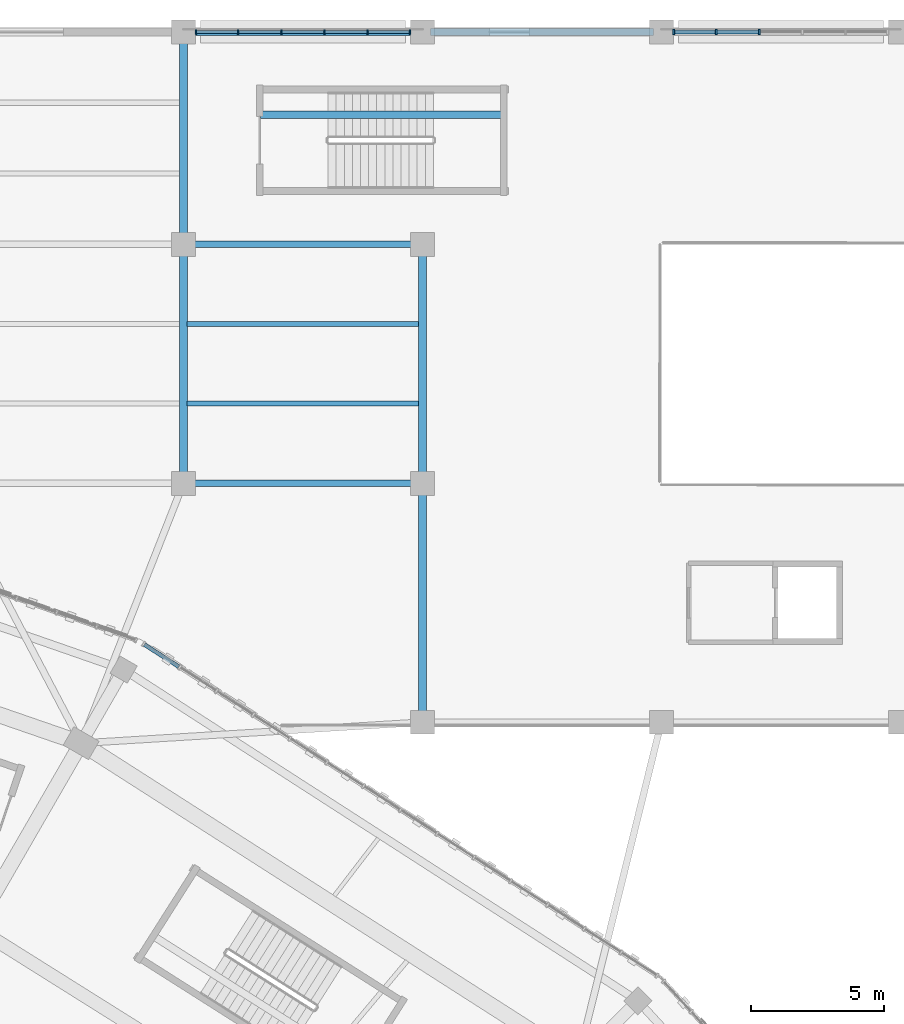
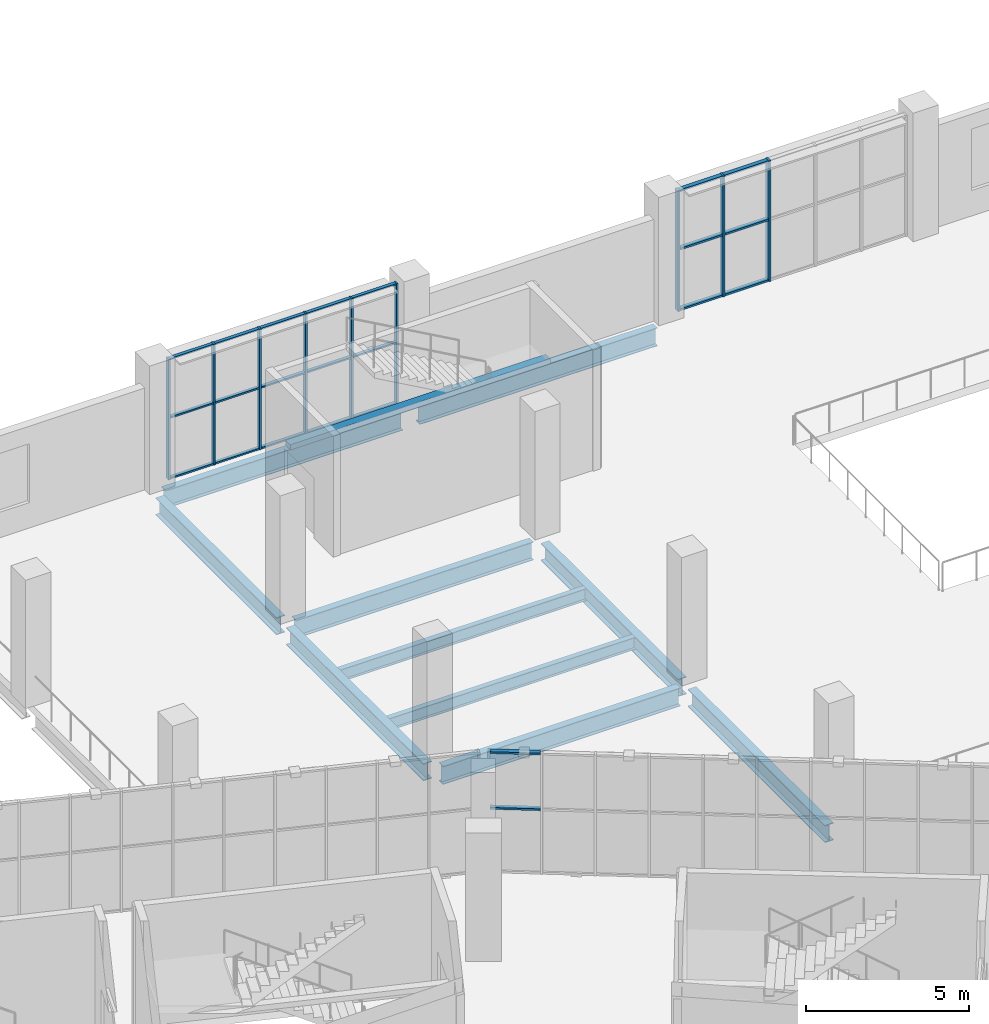
# One storey, part 66 of 183: 32 members, 11 beams, 3 elements without a shape of their own.
"""IFC4 building model written with IfcOpenShell, lengths in metres."""

from ifc_helpers import new_model, si_unit, direction, frame, origin, origin_2d, place, context, subcontext, project, spatial, rectangle, i_section, extrude, material, material_profile, profile_set, type_object, element, aggregate, save


model = new_model("IFC4")

# Units and contexts
model_context = context("Model", 3, precision=1e-05, world=origin(), true_north=direction((0.0, 1.0)))
body_context = subcontext(model_context, "Body", "Model", "MODEL_VIEW")
ifc_project = project(units=[si_unit("LENGTHUNIT", "METRE"), si_unit("AREAUNIT", "SQUARE_METRE"), si_unit("VOLUMEUNIT", "CUBIC_METRE"), si_unit("PLANEANGLEUNIT", "RADIAN"), si_unit("MASSUNIT", "GRAM", prefix="KILO")], contexts=[model_context])

# Site, building, storey
site_placement = place(None, origin())
site = spatial("IfcSite", under=ifc_project, at=site_placement, CompositionType="ELEMENT")
building_placement = place(site_placement, origin())
building = spatial("IfcBuilding", under=site, at=building_placement, Name="Zevraka Park Crest Stadium", CompositionType="ELEMENT")
storey_placement = place(building_placement, frame((0.0, 0.0, 5.39990234375)))
storey = spatial("IfcBuildingStorey", under=building, at=storey_placement, Name="L01", CompositionType="ELEMENT", Elevation=5.39990234375)

# Beams
ifc_material_1 = material(Name="Steel S355", Category="steel")
ifc_material_profile_1 = material_profile(ifc_material_1, i_section(OverallWidth=0.253662109375, OverallDepth=0.68359375, WebThickness=0.012451171875, FlangeThickness=0.01904296875, at=origin_2d()), Name="UKB 686x254x140")
ifc_profile_set_1 = profile_set([ifc_material_profile_1], Name="Steel S355")
beam_type_1 = type_object("IfcBeamType", Name="BG05", PredefinedType="BEAM", material=ifc_profile_set_1)
for number, where, z_axis, x_axis, name in (
    (1, (161.300048828125, 167.0, -0.649658203125), (1.0, 0.0, 0.0), (0.0, 1.0, 0.0), "Wing Girder BG05 L01-1819/U"),
    (2, (161.300048828125, 176.0, -0.649658203125), (1.0, 0.0, 0.0), (0.0, 1.0, 0.0), "Wing Girder BG05 L01-1819/V"),
    (3, (161.300048828125, 184.0, -0.649658203125), (1.0, 0.0, 0.0), (0.0, 1.0, 0.0), "Wing Girder BG05 L01-1819/W"),
    (4, (170.300048828125, 184.0, -0.649658203125), (1.0, 0.0, 0.0), (0.0, 1.0, 0.0), "Wing Girder BG05 L01-1920/W"),
):
    element("IfcBeam", number, at=place(storey_placement, frame(where, z_axis=z_axis, x_axis=x_axis)), inside=storey, type_object=beam_type_1, Name=name, PredefinedType="BEAM", context=body_context, shape_type="SweptSolid", body=[
        extrude(i_section(OverallWidth=0.253662109375, OverallDepth=0.68359375, WebThickness=0.012451171875, FlangeThickness=0.01904296875, at=origin_2d()), origin(), (0.0, 0.0, 1.0), 8.39990234375),
    ])
ifc_material_2 = material(Name="Steel S355", Category="steel")
ifc_material_profile_2 = material_profile(ifc_material_2, i_section(OverallWidth=0.300048828125, OverallDepth=0.64990234375, WebThickness=0.01611328125, FlangeThickness=0.031005859375, at=origin_2d()), Name="HEB 650")
ifc_profile_set_2 = profile_set([ifc_material_profile_2], Name="Steel S355")
beam_type_2 = type_object("IfcBeamType", Name="BG07", PredefinedType="BEAM", material=ifc_profile_set_2)
beam_1_placement = place(storey_placement, frame((161.0, 167.300048828125, -0.6328125), z_axis=(0.0, 1.0, 0.0), x_axis=(-1.0, 0.0, 0.0)))
element("IfcBeam", 5, at=beam_1_placement, inside=storey, type_object=beam_type_2, Name="Wing Girder BG07 L01-18/UV", PredefinedType="BEAM", context=body_context, shape_type="SweptSolid", body=[
    extrude(i_section(OverallWidth=0.300048828125, OverallDepth=0.64990234375, WebThickness=0.01611328125, FlangeThickness=0.031005859375, at=origin_2d()), origin(), (0.0, 0.0, 1.0), 8.39990234375),
])
beam_2_placement = place(storey_placement, frame((161.0, 176.300048828125, -0.6328125), z_axis=(0.0, 1.0, 0.0), x_axis=(-1.0, 0.0, 0.0)))
element("IfcBeam", 6, at=beam_2_placement, inside=storey, type_object=beam_type_2, Name="Wing Girder BG07 L01-18/VW", PredefinedType="BEAM", context=body_context, shape_type="SweptSolid", body=[
    extrude(i_section(OverallWidth=0.300048828125, OverallDepth=0.64990234375, WebThickness=0.01611328125, FlangeThickness=0.031005859375, at=origin_2d()), origin(), (0.0, 0.0, 1.0), 7.39990234375),
])
for number, where, z_axis, x_axis, name in (
    (7, (170.0, 158.300048828125, -0.6328125), (0.0, 1.0, 0.0), (-1.0, 0.0, 0.0), "Wing Girder BG07 L01-19/TU"),
    (8, (170.0, 167.300048828125, -0.6328125), (0.0, 1.0, 0.0), (-1.0, 0.0, 0.0), "Wing Girder BG07 L01-19/UV"),
):
    element("IfcBeam", number, at=place(storey_placement, frame(where, z_axis=z_axis, x_axis=x_axis)), inside=storey, type_object=beam_type_2, Name=name, PredefinedType="BEAM", context=body_context, shape_type="SweptSolid", body=[
        extrude(i_section(OverallWidth=0.300048828125, OverallDepth=0.64990234375, WebThickness=0.01611328125, FlangeThickness=0.031005859375, at=origin_2d()), origin(), (0.0, 0.0, 1.0), 8.39990234375),
    ])

# Curtain wall, members
ifc_material_3 = material(Name="Anodised architectural aluminium and laminated safety glass", Category="aluminium")
curtain_wall_type_1 = type_object("IfcCurtainWallType", Name="CW28", PredefinedType="NOTDEFINED", material=ifc_material_3)
curtain_wall_1_placement = place(storey_placement, origin())
curtain_wall_1 = element("IfcCurtainWall", 9, at=curtain_wall_1_placement, inside=storey, type_object=curtain_wall_type_1, Name="Wing Curtain Wall CW28 L01-NGATE-N-2", PredefinedType="NOTDEFINED")
ifc_material_4 = material(Name="Anodised architectural aluminium", Category="aluminium")
ifc_material_profile_3 = material_profile(ifc_material_4, rectangle(XDim=0.159912109375, YDim=0.06005859375, at=origin_2d()), Name="ALU MULLION 160x60")
ifc_profile_set_3 = profile_set([ifc_material_profile_3], Name="Anodised architectural aluminium")
member_type_1 = type_object("IfcMemberType", Name="CM01", PredefinedType="MULLION", material=ifc_profile_set_3)
member_1_placement = place(storey_placement, frame((161.469970703125, 184.0, 0.0), z_axis=(0.0, 0.0, 1.0), x_axis=(0.0, 1.0, 0.0)))
member_1 = element("IfcMember", 10, at=member_1_placement, type_object=member_type_1, Name="CW28 mullion 1", PredefinedType="MULLION", context=body_context, shape_type="SweptSolid", body=[
    extrude(rectangle(XDim=0.159912109375, YDim=0.06005859375, at=origin_2d()), origin(), (0.0, 0.0, 1.0), 4.52001953125),
])
member_2_placement = place(storey_placement, frame((163.06396484375, 184.0, 0.0), z_axis=(0.0, 0.0, 1.0), x_axis=(0.0, 1.0, 0.0)))
member_2 = element("IfcMember", 11, at=member_2_placement, type_object=member_type_1, Name="CW28 mullion 2", PredefinedType="MULLION", context=body_context, shape_type="SweptSolid", body=[
    extrude(rectangle(XDim=0.159912109375, YDim=0.06005859375, at=origin_2d()), origin(), (0.0, 0.0, 1.0), 4.52001953125),
])
member_3_placement = place(storey_placement, frame((164.68798828125, 184.0, 0.0), z_axis=(0.0, 0.0, 1.0), x_axis=(0.0, 1.0, 0.0)))
member_3 = element("IfcMember", 12, at=member_3_placement, type_object=member_type_1, Name="CW28 mullion 3", PredefinedType="MULLION", context=body_context, shape_type="SweptSolid", body=[
    extrude(rectangle(XDim=0.159912109375, YDim=0.06005859375, at=origin_2d()), origin(), (0.0, 0.0, 1.0), 4.52001953125),
])
member_4_placement = place(storey_placement, frame((166.31201171875, 184.0, 0.0), z_axis=(0.0, 0.0, 1.0), x_axis=(0.0, 1.0, 0.0)))
member_4 = element("IfcMember", 13, at=member_4_placement, type_object=member_type_1, Name="CW28 mullion 4", PredefinedType="MULLION", context=body_context, shape_type="SweptSolid", body=[
    extrude(rectangle(XDim=0.159912109375, YDim=0.06005859375, at=origin_2d()), origin(), (0.0, 0.0, 1.0), 4.52001953125),
])
member_5_placement = place(storey_placement, frame((167.93603515625, 184.0, 0.0), z_axis=(0.0, 0.0, 1.0), x_axis=(0.0, 1.0, 0.0)))
member_5 = element("IfcMember", 14, at=member_5_placement, type_object=member_type_1, Name="CW28 mullion 5", PredefinedType="MULLION", context=body_context, shape_type="SweptSolid", body=[
    extrude(rectangle(XDim=0.159912109375, YDim=0.06005859375, at=origin_2d()), origin(), (0.0, 0.0, 1.0), 4.52001953125),
])
member_6_placement = place(storey_placement, frame((169.530029296875, 184.0, 0.0), z_axis=(0.0, 0.0, 1.0), x_axis=(0.0, 1.0, 0.0)))
member_6 = element("IfcMember", 15, at=member_6_placement, type_object=member_type_1, Name="CW28 mullion 6", PredefinedType="MULLION", context=body_context, shape_type="SweptSolid", body=[
    extrude(rectangle(XDim=0.159912109375, YDim=0.06005859375, at=origin_2d()), origin(), (0.0, 0.0, 1.0), 4.52001953125),
])

ifc_material_5 = material(Name="Anodised architectural aluminium and laminated safety glass", Category="aluminium")
curtain_wall_type_2 = type_object("IfcCurtainWallType", Name="CW30", PredefinedType="NOTDEFINED", material=ifc_material_5)
curtain_wall_2_placement = place(storey_placement, origin())
curtain_wall_2 = element("IfcCurtainWall", 16, at=curtain_wall_2_placement, inside=storey, type_object=curtain_wall_type_2, Name="Wing Curtain Wall CW30 L01-NGATE-N-4", PredefinedType="NOTDEFINED")
ifc_material_6 = material(Name="Anodised architectural aluminium", Category="aluminium")
ifc_material_profile_4 = material_profile(ifc_material_6, rectangle(XDim=0.199951171875, YDim=0.070068359375, at=origin_2d()), Name="ALU MULLION 200x70")
ifc_profile_set_4 = profile_set([ifc_material_profile_4], Name="Anodised architectural aluminium")
member_type_2 = type_object("IfcMemberType", Name="CM03", PredefinedType="MULLION", material=ifc_profile_set_4)
member_7_placement = place(storey_placement, frame((179.47509765625, 184.0, 0.0), z_axis=(0.0, 0.0, 1.0), x_axis=(0.0, 1.0, 0.0)))
member_7 = element("IfcMember", 17, at=member_7_placement, type_object=member_type_2, Name="CW30 mullion 1", PredefinedType="MULLION", context=body_context, shape_type="SweptSolid", body=[
    extrude(rectangle(XDim=0.199951171875, YDim=0.070068359375, at=origin_2d()), origin(), (0.0, 0.0, 1.0), 4.52001953125),
])
member_8_placement = place(storey_placement, frame((181.06396484375, 184.0, 0.0), z_axis=(0.0, 0.0, 1.0), x_axis=(0.0, 1.0, 0.0)))
member_8 = element("IfcMember", 18, at=member_8_placement, type_object=member_type_2, Name="CW30 mullion 2", PredefinedType="MULLION", context=body_context, shape_type="SweptSolid", body=[
    extrude(rectangle(XDim=0.199951171875, YDim=0.070068359375, at=origin_2d()), origin(), (0.0, 0.0, 1.0), 4.52001953125),
])
member_9_placement = place(storey_placement, frame((182.68798828125, 184.0, 0.0), z_axis=(0.0, 0.0, 1.0), x_axis=(0.0, 1.0, 0.0)))
member_9 = element("IfcMember", 19, at=member_9_placement, type_object=member_type_2, Name="CW30 mullion 3", PredefinedType="MULLION", context=body_context, shape_type="SweptSolid", body=[
    extrude(rectangle(XDim=0.199951171875, YDim=0.070068359375, at=origin_2d()), origin(), (0.0, 0.0, 1.0), 4.52001953125),
])

# Member
ifc_material_7 = material(Name="Anodised architectural aluminium", Category="aluminium")
ifc_material_profile_5 = material_profile(ifc_material_7, rectangle(XDim=0.1201171875, YDim=0.06005859375, at=origin_2d()), Name="ALU TRANSOM 120x60")
ifc_profile_set_5 = profile_set([ifc_material_profile_5], Name="Anodised architectural aluminium")
member_type_3 = type_object("IfcMemberType", Name="CT01", PredefinedType="USERDEFINED", material=ifc_profile_set_5)
member_10_placement = place(storey_placement, frame((161.5, 184.0, 0.030029296875), z_axis=(1.0, 0.0, 0.0), x_axis=(0.0, 1.0, 0.0)))
member_10 = element("IfcMember", 20, at=member_10_placement, type_object=member_type_3, Name="CW28 transom 1.1", ObjectType="TRANSOM", PredefinedType="USERDEFINED", context=body_context, shape_type="SweptSolid", body=[
    extrude(rectangle(XDim=0.1201171875, YDim=0.06005859375, at=origin_2d()), origin(), (0.0, 0.0, 1.0), 1.533935546875),
])

member_11_placement = place(storey_placement, frame((161.5, 184.0, 2.300048828125), z_axis=(1.0, 0.0, 0.0), x_axis=(0.0, 1.0, 0.0)))
member_11 = element("IfcMember", 21, at=member_11_placement, type_object=member_type_3, Name="CW28 transom 1.2", ObjectType="TRANSOM", PredefinedType="USERDEFINED", context=body_context, shape_type="SweptSolid", body=[
    extrude(rectangle(XDim=0.1201171875, YDim=0.06005859375, at=origin_2d()), origin(), (0.0, 0.0, 1.0), 1.533935546875),
])

member_12_placement = place(storey_placement, frame((161.5, 184.0, 4.489990234375), z_axis=(1.0, 0.0, 0.0), x_axis=(0.0, 1.0, 0.0)))
member_12 = element("IfcMember", 22, at=member_12_placement, type_object=member_type_3, Name="CW28 transom 1.3", ObjectType="TRANSOM", PredefinedType="USERDEFINED", context=body_context, shape_type="SweptSolid", body=[
    extrude(rectangle(XDim=0.1201171875, YDim=0.06005859375, at=origin_2d()), origin(), (0.0, 0.0, 1.0), 1.533935546875),
])

member_13_placement = place(storey_placement, frame((163.093994140625, 184.0, 0.030029296875), z_axis=(1.0, 0.0, 0.0), x_axis=(0.0, 1.0, 0.0)))
member_13 = element("IfcMember", 23, at=member_13_placement, type_object=member_type_3, Name="CW28 transom 2.1", ObjectType="TRANSOM", PredefinedType="USERDEFINED", context=body_context, shape_type="SweptSolid", body=[
    extrude(rectangle(XDim=0.1201171875, YDim=0.06005859375, at=origin_2d()), origin(), (0.0, 0.0, 1.0), 1.56396484375),
])

member_14_placement = place(storey_placement, frame((163.093994140625, 184.0, 2.300048828125), z_axis=(1.0, 0.0, 0.0), x_axis=(0.0, 1.0, 0.0)))
member_14 = element("IfcMember", 24, at=member_14_placement, type_object=member_type_3, Name="CW28 transom 2.2", ObjectType="TRANSOM", PredefinedType="USERDEFINED", context=body_context, shape_type="SweptSolid", body=[
    extrude(rectangle(XDim=0.1201171875, YDim=0.06005859375, at=origin_2d()), origin(), (0.0, 0.0, 1.0), 1.56396484375),
])

member_15_placement = place(storey_placement, frame((163.093994140625, 184.0, 4.489990234375), z_axis=(1.0, 0.0, 0.0), x_axis=(0.0, 1.0, 0.0)))
member_15 = element("IfcMember", 25, at=member_15_placement, type_object=member_type_3, Name="CW28 transom 2.3", ObjectType="TRANSOM", PredefinedType="USERDEFINED", context=body_context, shape_type="SweptSolid", body=[
    extrude(rectangle(XDim=0.1201171875, YDim=0.06005859375, at=origin_2d()), origin(), (0.0, 0.0, 1.0), 1.56396484375),
])

member_16_placement = place(storey_placement, frame((164.718017578125, 184.0, 0.030029296875), z_axis=(1.0, 0.0, 0.0), x_axis=(0.0, 1.0, 0.0)))
member_16 = element("IfcMember", 26, at=member_16_placement, type_object=member_type_3, Name="CW28 transom 3.1", ObjectType="TRANSOM", PredefinedType="USERDEFINED", context=body_context, shape_type="SweptSolid", body=[
    extrude(rectangle(XDim=0.1201171875, YDim=0.06005859375, at=origin_2d()), origin(), (0.0, 0.0, 1.0), 1.56396484375),
])

member_17_placement = place(storey_placement, frame((164.718017578125, 184.0, 2.300048828125), z_axis=(1.0, 0.0, 0.0), x_axis=(0.0, 1.0, 0.0)))
member_17 = element("IfcMember", 27, at=member_17_placement, type_object=member_type_3, Name="CW28 transom 3.2", ObjectType="TRANSOM", PredefinedType="USERDEFINED", context=body_context, shape_type="SweptSolid", body=[
    extrude(rectangle(XDim=0.1201171875, YDim=0.06005859375, at=origin_2d()), origin(), (0.0, 0.0, 1.0), 1.56396484375),
])

member_18_placement = place(storey_placement, frame((164.718017578125, 184.0, 4.489990234375), z_axis=(1.0, 0.0, 0.0), x_axis=(0.0, 1.0, 0.0)))
member_18 = element("IfcMember", 28, at=member_18_placement, type_object=member_type_3, Name="CW28 transom 3.3", ObjectType="TRANSOM", PredefinedType="USERDEFINED", context=body_context, shape_type="SweptSolid", body=[
    extrude(rectangle(XDim=0.1201171875, YDim=0.06005859375, at=origin_2d()), origin(), (0.0, 0.0, 1.0), 1.56396484375),
])

member_19_placement = place(storey_placement, frame((166.342041015625, 184.0, 0.030029296875), z_axis=(1.0, 0.0, 0.0), x_axis=(0.0, 1.0, 0.0)))
member_19 = element("IfcMember", 29, at=member_19_placement, type_object=member_type_3, Name="CW28 transom 4.1", ObjectType="TRANSOM", PredefinedType="USERDEFINED", context=body_context, shape_type="SweptSolid", body=[
    extrude(rectangle(XDim=0.1201171875, YDim=0.06005859375, at=origin_2d()), origin(), (0.0, 0.0, 1.0), 1.56396484375),
])

member_20_placement = place(storey_placement, frame((166.342041015625, 184.0, 2.300048828125), z_axis=(1.0, 0.0, 0.0), x_axis=(0.0, 1.0, 0.0)))
member_20 = element("IfcMember", 30, at=member_20_placement, type_object=member_type_3, Name="CW28 transom 4.2", ObjectType="TRANSOM", PredefinedType="USERDEFINED", context=body_context, shape_type="SweptSolid", body=[
    extrude(rectangle(XDim=0.1201171875, YDim=0.06005859375, at=origin_2d()), origin(), (0.0, 0.0, 1.0), 1.56396484375),
])

member_21_placement = place(storey_placement, frame((166.342041015625, 184.0, 4.489990234375), z_axis=(1.0, 0.0, 0.0), x_axis=(0.0, 1.0, 0.0)))
member_21 = element("IfcMember", 31, at=member_21_placement, type_object=member_type_3, Name="CW28 transom 4.3", ObjectType="TRANSOM", PredefinedType="USERDEFINED", context=body_context, shape_type="SweptSolid", body=[
    extrude(rectangle(XDim=0.1201171875, YDim=0.06005859375, at=origin_2d()), origin(), (0.0, 0.0, 1.0), 1.56396484375),
])

member_22_placement = place(storey_placement, frame((167.966064453125, 184.0, 0.030029296875), z_axis=(1.0, 0.0, 0.0), x_axis=(0.0, 1.0, 0.0)))
member_22 = element("IfcMember", 32, at=member_22_placement, type_object=member_type_3, Name="CW28 transom 5.1", ObjectType="TRANSOM", PredefinedType="USERDEFINED", context=body_context, shape_type="SweptSolid", body=[
    extrude(rectangle(XDim=0.1201171875, YDim=0.06005859375, at=origin_2d()), origin(), (0.0, 0.0, 1.0), 1.533935546875),
])

member_23_placement = place(storey_placement, frame((167.966064453125, 184.0, 2.300048828125), z_axis=(1.0, 0.0, 0.0), x_axis=(0.0, 1.0, 0.0)))
member_23 = element("IfcMember", 33, at=member_23_placement, type_object=member_type_3, Name="CW28 transom 5.2", ObjectType="TRANSOM", PredefinedType="USERDEFINED", context=body_context, shape_type="SweptSolid", body=[
    extrude(rectangle(XDim=0.1201171875, YDim=0.06005859375, at=origin_2d()), origin(), (0.0, 0.0, 1.0), 1.533935546875),
])

member_24_placement = place(storey_placement, frame((167.966064453125, 184.0, 4.489990234375), z_axis=(1.0, 0.0, 0.0), x_axis=(0.0, 1.0, 0.0)))
member_24 = element("IfcMember", 34, at=member_24_placement, type_object=member_type_3, Name="CW28 transom 5.3", ObjectType="TRANSOM", PredefinedType="USERDEFINED", context=body_context, shape_type="SweptSolid", body=[
    extrude(rectangle(XDim=0.1201171875, YDim=0.06005859375, at=origin_2d()), origin(), (0.0, 0.0, 1.0), 1.533935546875),
])

aggregate(curtain_wall_1, [member_1, member_2, member_3, member_4, member_5, member_6, member_10, member_11, member_12, member_13, member_14, member_15, member_16, member_17, member_18, member_19, member_20, member_21, member_22, member_23, member_24])

# Curtain wall, members
ifc_material_8 = material(Name="Anodised architectural aluminium and laminated safety glass", Category="aluminium")
curtain_wall_type_3 = type_object("IfcCurtainWallType", Name="CW03", PredefinedType="NOTDEFINED", material=ifc_material_8)
curtain_wall_3_placement = place(storey_placement, origin())
curtain_wall_3 = element("IfcCurtainWall", 35, at=curtain_wall_3_placement, inside=storey, type_object=curtain_wall_type_3, Name="Unitised Ring Curtain Wall CW03 L01-03", PredefinedType="NOTDEFINED")
ifc_material_9 = material(Name="Anodised architectural aluminium", Category="aluminium")
ifc_material_profile_6 = material_profile(ifc_material_9, rectangle(XDim=0.14990234375, YDim=0.070068359375, at=origin_2d()), Name="ALU TRANSOM 150x70")
ifc_profile_set_6 = profile_set([ifc_material_profile_6], Name="Anodised architectural aluminium")
member_type_4 = type_object("IfcMemberType", Name="CT03", PredefinedType="USERDEFINED", material=ifc_profile_set_6)
member_25_placement = place(storey_placement, frame((160.830322265625, 160.090087890625, 2.400146484375), z_axis=(-0.840082895717, 0.542458042916, 0.0), x_axis=(-0.542458042916, -0.840082895717, 0.0)))
member_25 = element("IfcMember", 36, at=member_25_placement, type_object=member_type_4, Name="CW03 transom 14.2", ObjectType="TRANSOM", PredefinedType="USERDEFINED", context=body_context, shape_type="SweptSolid", body=[
    extrude(rectangle(XDim=0.14990234375, YDim=0.070068359375, at=origin_2d()), origin(), (0.0, 0.0, 1.0), 1.544677734375),
])
member_26_placement = place(storey_placement, frame((160.830322265625, 160.090087890625, 4.485107421875), z_axis=(-0.840082895717, 0.542458042916, 0.0), x_axis=(-0.542458042916, -0.840082895717, 0.0)))
member_26 = element("IfcMember", 37, at=member_26_placement, type_object=member_type_4, Name="CW03 transom 14.3", ObjectType="TRANSOM", PredefinedType="USERDEFINED", context=body_context, shape_type="SweptSolid", body=[
    extrude(rectangle(XDim=0.14990234375, YDim=0.070068359375, at=origin_2d()), origin(), (0.0, 0.0, 1.0), 1.544677734375),
])
aggregate(curtain_wall_3, [member_25, member_26])

# Member
member_27_placement = place(storey_placement, frame((179.510009765625, 184.0, 0.03515625), z_axis=(1.0, 0.0, 0.0), x_axis=(0.0, 1.0, 0.0)))
member_27 = element("IfcMember", 38, at=member_27_placement, type_object=member_type_4, Name="CW30 transom 1.1", ObjectType="TRANSOM", PredefinedType="USERDEFINED", context=body_context, shape_type="SweptSolid", body=[
    extrude(rectangle(XDim=0.14990234375, YDim=0.070068359375, at=origin_2d()), origin(), (0.0, 0.0, 1.0), 1.51904296875),
])

member_28_placement = place(storey_placement, frame((179.510009765625, 184.0, 2.300048828125), z_axis=(1.0, 0.0, 0.0), x_axis=(0.0, 1.0, 0.0)))
member_28 = element("IfcMember", 39, at=member_28_placement, type_object=member_type_4, Name="CW30 transom 1.2", ObjectType="TRANSOM", PredefinedType="USERDEFINED", context=body_context, shape_type="SweptSolid", body=[
    extrude(rectangle(XDim=0.14990234375, YDim=0.070068359375, at=origin_2d()), origin(), (0.0, 0.0, 1.0), 1.51904296875),
])

member_29_placement = place(storey_placement, frame((179.510009765625, 184.0, 4.485107421875), z_axis=(1.0, 0.0, 0.0), x_axis=(0.0, 1.0, 0.0)))
member_29 = element("IfcMember", 40, at=member_29_placement, type_object=member_type_4, Name="CW30 transom 1.3", ObjectType="TRANSOM", PredefinedType="USERDEFINED", context=body_context, shape_type="SweptSolid", body=[
    extrude(rectangle(XDim=0.14990234375, YDim=0.070068359375, at=origin_2d()), origin(), (0.0, 0.0, 1.0), 1.51904296875),
])

member_30_placement = place(storey_placement, frame((181.09912109375, 184.0, 0.03515625), z_axis=(1.0, 0.0, 0.0), x_axis=(0.0, 1.0, 0.0)))
member_30 = element("IfcMember", 41, at=member_30_placement, type_object=member_type_4, Name="CW30 transom 2.1", ObjectType="TRANSOM", PredefinedType="USERDEFINED", context=body_context, shape_type="SweptSolid", body=[
    extrude(rectangle(XDim=0.14990234375, YDim=0.070068359375, at=origin_2d()), origin(), (0.0, 0.0, 1.0), 1.553955078125),
])

member_31_placement = place(storey_placement, frame((181.09912109375, 184.0, 2.300048828125), z_axis=(1.0, 0.0, 0.0), x_axis=(0.0, 1.0, 0.0)))
member_31 = element("IfcMember", 42, at=member_31_placement, type_object=member_type_4, Name="CW30 transom 2.2", ObjectType="TRANSOM", PredefinedType="USERDEFINED", context=body_context, shape_type="SweptSolid", body=[
    extrude(rectangle(XDim=0.14990234375, YDim=0.070068359375, at=origin_2d()), origin(), (0.0, 0.0, 1.0), 1.553955078125),
])

member_32_placement = place(storey_placement, frame((181.09912109375, 184.0, 4.485107421875), z_axis=(1.0, 0.0, 0.0), x_axis=(0.0, 1.0, 0.0)))
member_32 = element("IfcMember", 43, at=member_32_placement, type_object=member_type_4, Name="CW30 transom 2.3", ObjectType="TRANSOM", PredefinedType="USERDEFINED", context=body_context, shape_type="SweptSolid", body=[
    extrude(rectangle(XDim=0.14990234375, YDim=0.070068359375, at=origin_2d()), origin(), (0.0, 0.0, 1.0), 1.553955078125),
])

aggregate(curtain_wall_2, [member_7, member_8, member_9, member_27, member_28, member_29, member_30, member_31, member_32])

# Beams
ifc_material_10 = material(Name="Steel S355", Category="steel")
ifc_material_profile_7 = material_profile(ifc_material_10, i_section(OverallWidth=0.18994140625, OverallDepth=0.45703125, WebThickness=0.009033203125, FlangeThickness=0.014404296875, at=origin_2d()), Name="UKB 457x191x74")
ifc_profile_set_7 = profile_set([ifc_material_profile_7], Name="Steel S355")
beam_type_3 = type_object("IfcBeamType", Name="SJ12", PredefinedType="JOIST", material=ifc_profile_set_7)
for number, where, z_axis, x_axis, name in (
    (44, (161.14501953125, 170.0, -0.538330078125), (1.0, 0.0, 0.0), (0.0, 1.0, 0.0), "Wing Joist SJ12 L01-18/U-1"),
    (45, (161.14501953125, 173.0, -0.538330078125), (1.0, 0.0, 0.0), (0.0, 1.0, 0.0), "Wing Joist SJ12 L01-18/U-2"),
):
    element("IfcBeam", number, at=place(storey_placement, frame(where, z_axis=z_axis, x_axis=x_axis)), inside=storey, type_object=beam_type_3, Name=name, PredefinedType="JOIST", context=body_context, shape_type="SweptSolid", body=[
        extrude(i_section(OverallWidth=0.18994140625, OverallDepth=0.45703125, WebThickness=0.009033203125, FlangeThickness=0.014404296875, at=origin_2d()), origin(), (0.0, 0.0, 1.0), 8.7099609375),
    ])
ifc_material_11 = material(Name="Concrete C40/50", Category="concrete")
ifc_material_profile_8 = material_profile(ifc_material_11, rectangle(XDim=0.280029296875, YDim=0.199951171875, at=origin_2d()), Name="RC 200x280")
ifc_profile_set_8 = profile_set([ifc_material_profile_8], Name="Concrete C40/50")
beam_type_4 = type_object("IfcBeamType", Name="SJ13", PredefinedType="JOIST", material=ifc_profile_set_8)
beam_3_placement = place(storey_placement, frame((163.89990234375, 180.875, 2.300048828125), z_axis=(1.0, 0.0, 0.0), x_axis=(0.0, 1.0, 0.0)))
element("IfcBeam", 46, at=beam_3_placement, inside=storey, type_object=beam_type_4, Name="Stair Upper-Flight Longitudinal Stringer SJ13 ST46-L01", PredefinedType="JOIST", context=body_context, shape_type="SweptSolid", body=[
    extrude(rectangle(XDim=0.280029296875, YDim=0.199951171875, at=origin_2d()), origin(), (0.0, 0.0, 1.0), 9.2001953125),
])

save(model, "model.ifc")
